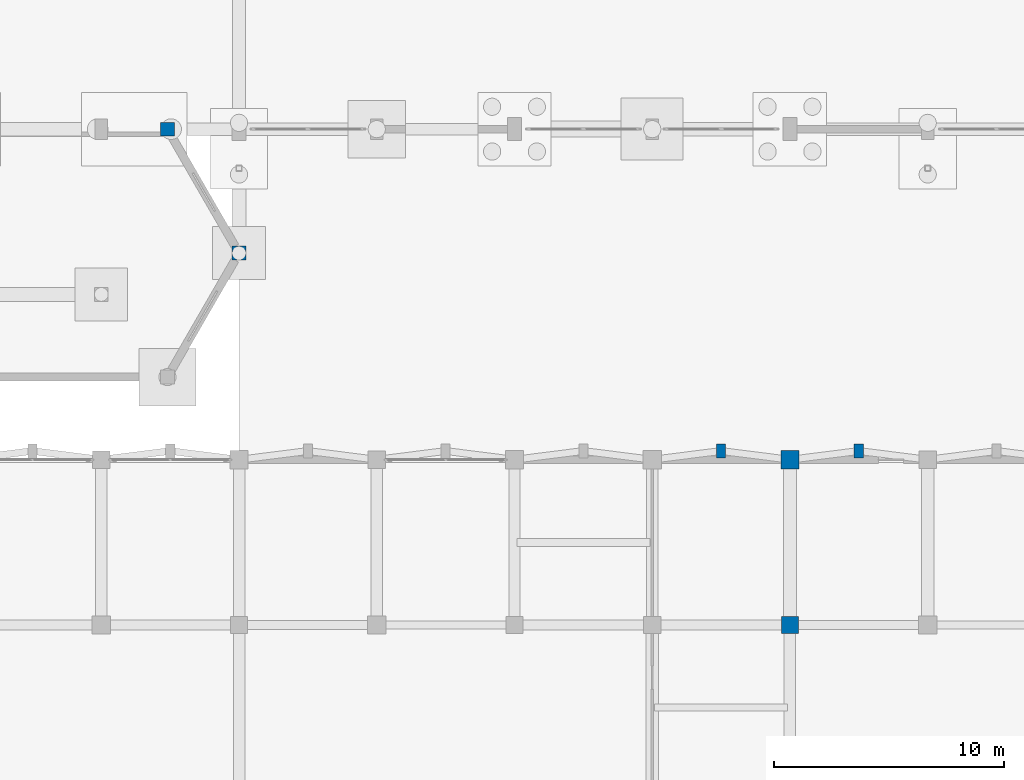
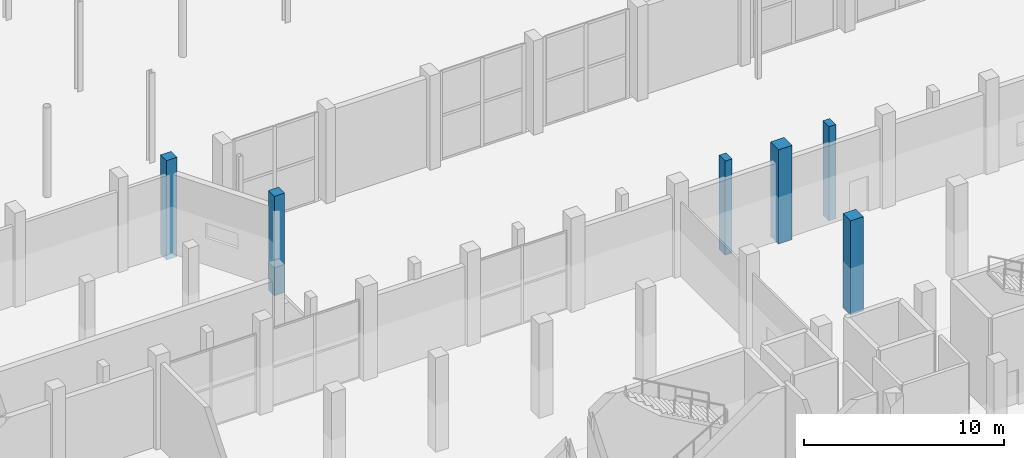
# One storey, part 16 of 103: 6 columns.
"""IFC4 building model written with IfcOpenShell, lengths in metres."""

from ifc_helpers import new_model, si_unit, direction, frame, origin, origin_2d, place, context, subcontext, project, spatial, rectangle, extrude, material, material_profile, profile_set, type_object, element, save


model = new_model("IFC4")

# Units and contexts
model_context = context("Model", 3, precision=1e-05, world=origin(), true_north=direction((0.0, 1.0)))
body_context = subcontext(model_context, "Body", "Model", "MODEL_VIEW")
ifc_project = project(units=[si_unit("LENGTHUNIT", "METRE"), si_unit("AREAUNIT", "SQUARE_METRE"), si_unit("VOLUMEUNIT", "CUBIC_METRE"), si_unit("PLANEANGLEUNIT", "RADIAN"), si_unit("MASSUNIT", "GRAM", prefix="KILO")], contexts=[model_context])

# Site, building, storey
site_placement = place(None, origin())
site = spatial("IfcSite", under=ifc_project, at=site_placement, CompositionType="ELEMENT")
building_placement = place(site_placement, origin())
building = spatial("IfcBuilding", under=site, at=building_placement, Name="Dunvalen Ferry Terminal", CompositionType="ELEMENT")
storey_placement = place(building_placement, origin())
storey = spatial("IfcBuildingStorey", under=building, at=storey_placement, Name="L00", CompositionType="ELEMENT", Elevation=0.0)

# Columns
ifc_material = material(Name="Concrete C40/50", Category="concrete")
ifc_material_profile_1 = material_profile(ifc_material, rectangle(XDim=0.60009765625, YDim=0.60009765625, at=origin_2d()), Name="Concrete C40/50")
ifc_profile_set_1 = profile_set([ifc_material_profile_1], Name="Concrete C40/50")
column_type_1 = type_object("IfcColumnType", Name="STR-COL-RC600", PredefinedType="COLUMN", material=ifc_profile_set_1)
for number, where, z_axis, x_axis, name in (
    (1, (32.882080078125, 50.39990234375, -0.320068359375), (0.0, 0.0, 1.0), (1.0, 0.0, 0.0), "L00 South-West Security Annex Column 11"),
    (2, (36.0, 45.0, -0.320068359375), (0.0, 0.0, 1.0), (1.0, 0.0, 0.0), "L00 South-West Security Annex Column 12"),
):
    element("IfcColumn", number, at=place(storey_placement, frame(where, z_axis=z_axis, x_axis=x_axis)), inside=storey, type_object=column_type_1, Name=name, PredefinedType="COLUMN", context=body_context, shape_type="SweptSolid", body=[
        extrude(rectangle(XDim=0.60009765625, YDim=0.60009765625, at=origin_2d()), origin(), (0.0, 0.0, 1.0), 6.080078125),
    ])
ifc_material_profile_2 = material_profile(ifc_material, rectangle(XDim=0.75, YDim=0.75, at=origin_2d()), Name="Concrete C40/50")
ifc_profile_set_2 = profile_set([ifc_material_profile_2], Name="Concrete C40/50")
column_type_2 = type_object("IfcColumnType", Name="STR-COL-RC750", PredefinedType="COLUMN", material=ifc_profile_set_2)
column_1_placement = place(storey_placement, frame((60.0, 28.800048828125, 0.0), z_axis=(0.0, 0.0, 1.0), x_axis=(1.0, 0.0, 0.0)))
element("IfcColumn", 3, at=column_1_placement, inside=storey, type_object=column_type_2, Name="L00 Maritime Wing Column 053", PredefinedType="COLUMN", context=body_context, shape_type="SweptSolid", body=[
    extrude(rectangle(XDim=0.75, YDim=0.75, at=origin_2d()), origin(), (0.0, 0.0, 1.0), 5.760009765625),
])
ifc_material_profile_3 = material_profile(ifc_material, rectangle(XDim=0.800048828125, YDim=0.800048828125, at=origin_2d()), Name="Concrete C40/50")
ifc_profile_set_3 = profile_set([ifc_material_profile_3], Name="Concrete C40/50")
column_type_3 = type_object("IfcColumnType", Name="STR-COL-RC800", PredefinedType="COLUMN", material=ifc_profile_set_3)
column_2_placement = place(storey_placement, frame((60.0, 36.0, 0.0), z_axis=(0.0, 0.0, 1.0), x_axis=(1.0, 0.0, 0.0)))
element("IfcColumn", 4, at=column_2_placement, inside=storey, type_object=column_type_3, Name="L00 Maritime Wing Column 054", PredefinedType="COLUMN", context=body_context, shape_type="SweptSolid", body=[
    extrude(rectangle(XDim=0.800048828125, YDim=0.800048828125, at=origin_2d()), origin(), (0.0, 0.0, 1.0), 5.760009765625),
])
ifc_material_profile_4 = material_profile(ifc_material, rectangle(XDim=0.39990234375, YDim=0.60009765625, at=origin_2d()), Name="Concrete C40/50")
ifc_profile_set_4 = profile_set([ifc_material_profile_4], Name="Concrete C40/50")
column_type_4 = type_object("IfcColumnType", Name="STR-PIL-400x600", PredefinedType="PILASTER", material=ifc_profile_set_4)
for number, where, z_axis, x_axis, name in (
    (5, (57.0, 36.3798828125, 0.0), (0.0, 0.0, 1.0), (1.0, 0.0, 0.0), "L00 North Passage Pilaster 08"),
    (6, (63.0, 36.3798828125, 0.0), (0.0, 0.0, 1.0), (1.0, 0.0, 0.0), "L00 North Passage Pilaster 09"),
):
    element("IfcColumn", number, at=place(storey_placement, frame(where, z_axis=z_axis, x_axis=x_axis)), inside=storey, type_object=column_type_4, Name=name, PredefinedType="PILASTER", context=body_context, shape_type="SweptSolid", body=[
        extrude(rectangle(XDim=0.39990234375, YDim=0.60009765625, at=origin_2d()), origin(), (0.0, 0.0, 1.0), 5.760009765625),
    ])

save(model, "model.ifc")
